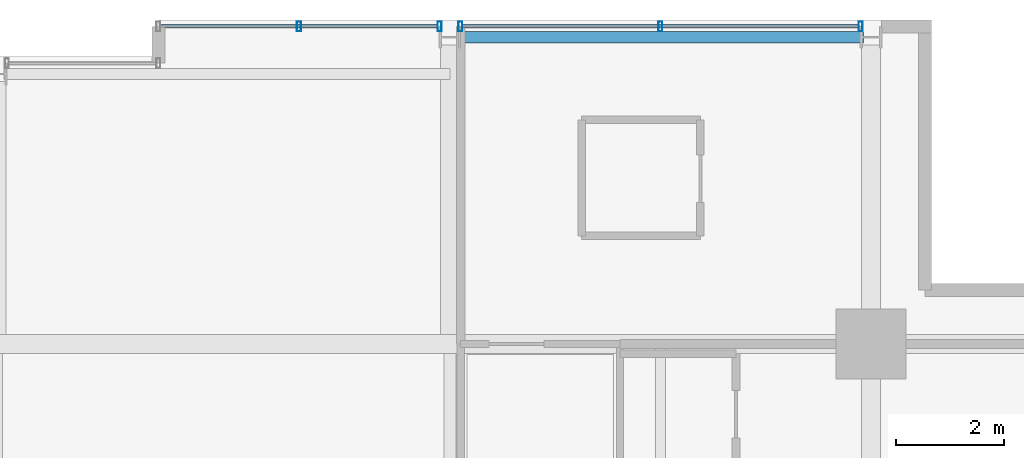
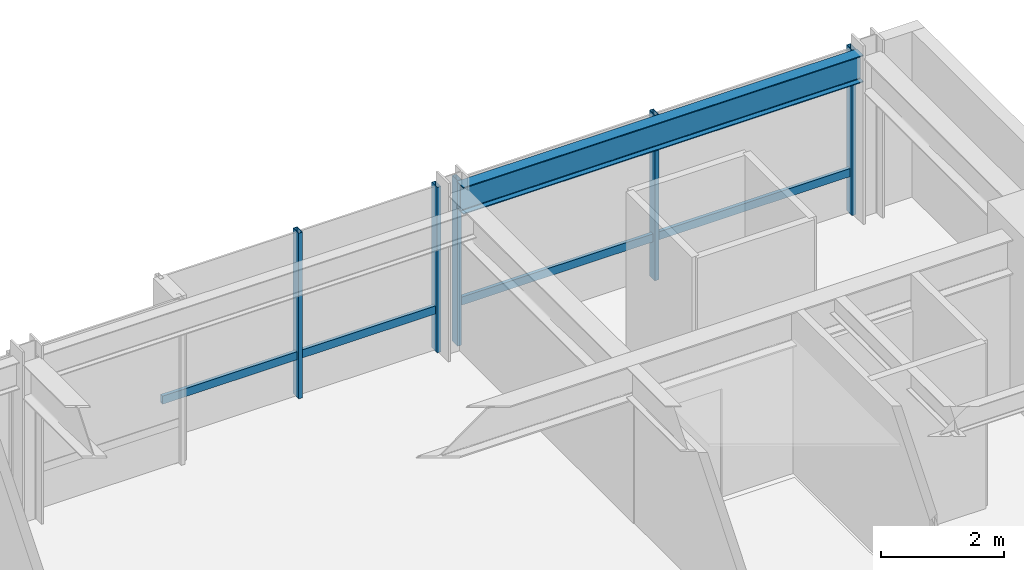
# One storey, part 24 of 32: 7 members, 1 beam, 2 elements without a shape of their own.
"""IFC4 building model written with IfcOpenShell, lengths in metres."""

from ifc_helpers import new_model, si_unit, direction, frame, origin, origin_2d, place, context, subcontext, project, spatial, hollow_rectangle, i_section, extrude, material, layer, layer_set, material_profile, profile_set, type_object, element, aggregate, save


model = new_model("IFC4")

# Units and contexts
model_context = context("Model", 3, precision=1e-05, world=origin(), true_north=direction((0.0, 1.0)))
body_context = subcontext(model_context, "Body", "Model", "MODEL_VIEW")
ifc_project = project(units=[si_unit("LENGTHUNIT", "METRE"), si_unit("AREAUNIT", "SQUARE_METRE"), si_unit("VOLUMEUNIT", "CUBIC_METRE"), si_unit("PLANEANGLEUNIT", "RADIAN"), si_unit("MASSUNIT", "GRAM", prefix="KILO")], contexts=[model_context])

# Site, building, storey
site_placement = place(None, origin())
site = spatial("IfcSite", under=ifc_project, at=site_placement, CompositionType="ELEMENT")
building_placement = place(site_placement, origin())
building = spatial("IfcBuilding", under=site, at=building_placement, Name="Drelvath Grand Hotel", CompositionType="ELEMENT")
storey_placement = place(building_placement, frame((0.0, 0.0, 193.0)))
storey = spatial("IfcBuildingStorey", under=building, at=storey_placement, Name="L50", CompositionType="ELEMENT", Elevation=193.0)

# Curtain wall, member
ifc_material_1 = material(Name="Brushed Pale-Silver Anodised Aluminium Frame", Category="aluminium")
ifc_layer = layer(ifc_material_1, 0.199951171875)
ifc_layer_set = layer_set([ifc_layer], Name="Brushed Pale-Silver Anodised Aluminium Frame")
curtain_wall_type = type_object("IfcCurtainWallType", Name="Stick Curtain Wall CW-04 Brushed Silver Upper-Mid", PredefinedType="NOTDEFINED", material=ifc_layer_set)
curtain_wall_1_placement = place(storey_placement, origin())
curtain_wall_1 = element("IfcCurtainWall", 1, at=curtain_wall_1_placement, inside=storey, type_object=curtain_wall_type, Name="L50 CW-04 Curtain Wall CW04-L50-NE1", PredefinedType="NOTDEFINED")
ifc_material_profile_1 = material_profile(ifc_material_1, hollow_rectangle(XDim=0.06494140625, YDim=0.159912109375, WallThickness=0.00390625, at=origin_2d()), Name="HSS160X65X4")
ifc_profile_set_1 = profile_set([ifc_material_profile_1], Name="Brushed Pale-Silver Anodised Aluminium Frame")
member_type_1 = type_object("IfcMemberType", Name="Curtain Wall Horizontal Transom CW-04 HSS160X65X4", PredefinedType="USERDEFINED", material=ifc_profile_set_1)
member_1_placement = place(storey_placement, frame((3.0400390625, 49.080078125, 0.822509765625), z_axis=(1.0, 0.0, 0.0), x_axis=(0.0, 1.0, 0.0)))
member_1 = element("IfcMember", 2, at=member_1_placement, type_object=member_type_1, Name="CW04-L50-NE1 Sill Transom", ObjectType="TRANSOM", PredefinedType="USERDEFINED", context=body_context, shape_type="SweptSolid", body=[
    extrude(hollow_rectangle(XDim=0.06494140625, YDim=0.159912109375, WallThickness=0.00390625, at=origin_2d()), origin(), (0.0, 0.0, 1.0), 5.128173828125),
])

curtain_wall_2_placement = place(storey_placement, origin())
curtain_wall_2 = element("IfcCurtainWall", 3, at=curtain_wall_2_placement, inside=storey, type_object=curtain_wall_type, Name="L50 CW-04 Curtain Wall CW04-L50-NE2", PredefinedType="NOTDEFINED")
member_2_placement = place(storey_placement, frame((8.631591796875, 49.080078125, 0.822509765625), z_axis=(1.0, 0.0, 0.0), x_axis=(0.0, 1.0, 0.0)))
member_2 = element("IfcMember", 4, at=member_2_placement, type_object=member_type_1, Name="CW04-L50-NE2 Sill Transom", ObjectType="TRANSOM", PredefinedType="USERDEFINED", context=body_context, shape_type="SweptSolid", body=[
    extrude(hollow_rectangle(XDim=0.06494140625, YDim=0.159912109375, WallThickness=0.00390625, at=origin_2d()), origin(), (0.0, 0.0, 1.0), 7.3369140625),
])

# Member
ifc_material_profile_2 = material_profile(ifc_material_1, hollow_rectangle(XDim=0.074951171875, YDim=0.179931640625, WallThickness=0.0048828125, at=origin_2d()), Name="HSS180X75X5")
ifc_profile_set_2 = profile_set([ifc_material_profile_2], Name="Brushed Pale-Silver Anodised Aluminium Frame")
member_type_2 = type_object("IfcMemberType", Name="Curtain Wall Vertical Mullion CW-04 HSS180X75X5", PredefinedType="MULLION", material=ifc_profile_set_2)
member_3_placement = place(storey_placement, frame((5.60400390625, 49.080078125, 0.0), z_axis=(0.0, 0.0, 1.0), x_axis=(1.0, 0.0, 0.0)))
member_3 = element("IfcMember", 5, at=member_3_placement, type_object=member_type_2, Name="CW04-L50-NE1 Mullion 2", PredefinedType="MULLION", context=body_context, shape_type="SweptSolid", body=[
    extrude(hollow_rectangle(XDim=0.074951171875, YDim=0.179931640625, WallThickness=0.0048828125, at=origin_2d()), origin(), (0.0, 0.0, 1.0), 3.2900390625),
])

member_4_placement = place(storey_placement, frame((8.208251953125, 49.080078125, 0.0), z_axis=(0.0, 0.0, 1.0), x_axis=(1.0, 0.0, 0.0)))
member_4 = element("IfcMember", 6, at=member_4_placement, type_object=member_type_2, Name="CW04-L50-NE1 Mullion 3", PredefinedType="MULLION", context=body_context, shape_type="SweptSolid", body=[
    extrude(hollow_rectangle(XDim=0.074951171875, YDim=0.179931640625, WallThickness=0.0048828125, at=origin_2d()), origin(), (0.0, 0.0, 1.0), 3.2900390625),
])

aggregate(curtain_wall_1, [member_3, member_4, member_1])

member_5_placement = place(storey_placement, frame((8.591796875, 49.080078125, 0.0), z_axis=(0.0, 0.0, 1.0), x_axis=(1.0, 0.0, 0.0)))
member_5 = element("IfcMember", 7, at=member_5_placement, type_object=member_type_2, Name="CW04-L50-NE2 Mullion 1", PredefinedType="MULLION", context=body_context, shape_type="SweptSolid", body=[
    extrude(hollow_rectangle(XDim=0.074951171875, YDim=0.179931640625, WallThickness=0.0048828125, at=origin_2d()), origin(), (0.0, 0.0, 1.0), 3.2900390625),
])

member_6_placement = place(storey_placement, frame((12.300048828125, 49.080078125, 0.0), z_axis=(0.0, 0.0, 1.0), x_axis=(1.0, 0.0, 0.0)))
member_6 = element("IfcMember", 8, at=member_6_placement, type_object=member_type_2, Name="CW04-L50-NE2 Mullion 2", PredefinedType="MULLION", context=body_context, shape_type="SweptSolid", body=[
    extrude(hollow_rectangle(XDim=0.074951171875, YDim=0.179931640625, WallThickness=0.0048828125, at=origin_2d()), origin(), (0.0, 0.0, 1.0), 3.2900390625),
])

member_7_placement = place(storey_placement, frame((16.00830078125, 49.080078125, 0.0), z_axis=(0.0, 0.0, 1.0), x_axis=(1.0, 0.0, 0.0)))
member_7 = element("IfcMember", 9, at=member_7_placement, type_object=member_type_2, Name="CW04-L50-NE2 Mullion 3", PredefinedType="MULLION", context=body_context, shape_type="SweptSolid", body=[
    extrude(hollow_rectangle(XDim=0.074951171875, YDim=0.179931640625, WallThickness=0.0048828125, at=origin_2d()), origin(), (0.0, 0.0, 1.0), 3.2900390625),
])

aggregate(curtain_wall_2, [member_5, member_6, member_7, member_2])

# Beam
ifc_material_2 = material(Name="Steel ASTM A992 Gr 50", Category="steel")
ifc_material_profile_3 = material_profile(ifc_material_2, i_section(OverallWidth=0.210205078125, OverallDepth=0.53662109375, WebThickness=0.010986328125, FlangeThickness=0.017333984375, FilletRadius=0.01806640625, at=origin_2d()), Name="W21X68")
ifc_profile_set_3 = profile_set([ifc_material_profile_3], Name="Steel ASTM A992 Gr 50")
beam_type = type_object("IfcBeamType", Name="Perimeter Spandrel Beam W21X68", PredefinedType="SPANDREL", material=ifc_profile_set_3)
beam_placement = place(storey_placement, frame((8.5400390625, 48.8798828125, 3.021484375), z_axis=(1.0, 0.0, 0.0), x_axis=(0.0, 1.0, 0.0)))
element("IfcBeam", 10, at=beam_placement, inside=storey, type_object=beam_type, Name="L50 Spandrel North E", PredefinedType="SPANDREL", context=body_context, shape_type="SweptSolid", body=[
    extrude(i_section(OverallWidth=0.210205078125, OverallDepth=0.53662109375, WebThickness=0.010986328125, FlangeThickness=0.017333984375, FilletRadius=0.01806640625, at=origin_2d()), origin(), (0.0, 0.0, 1.0), 7.52001953125),
])

save(model, "model.ifc")
